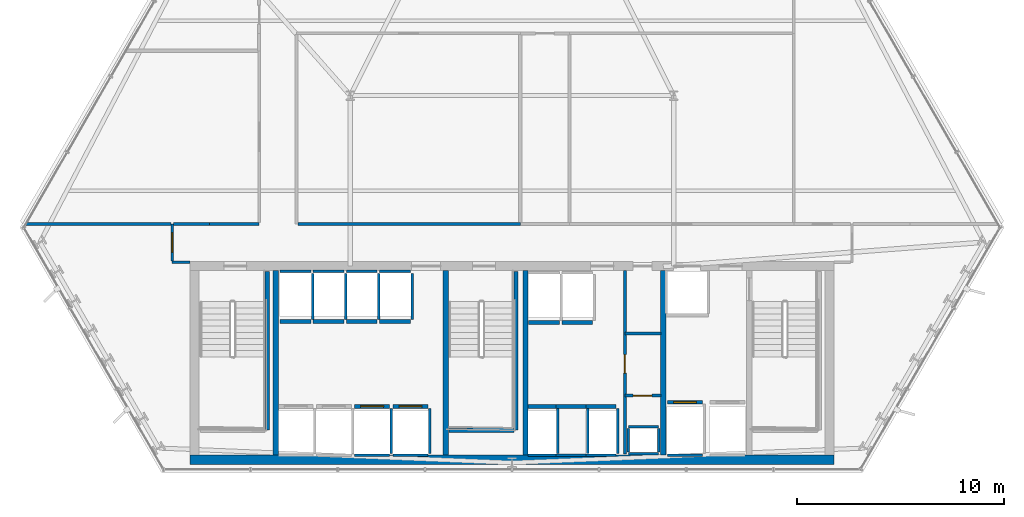
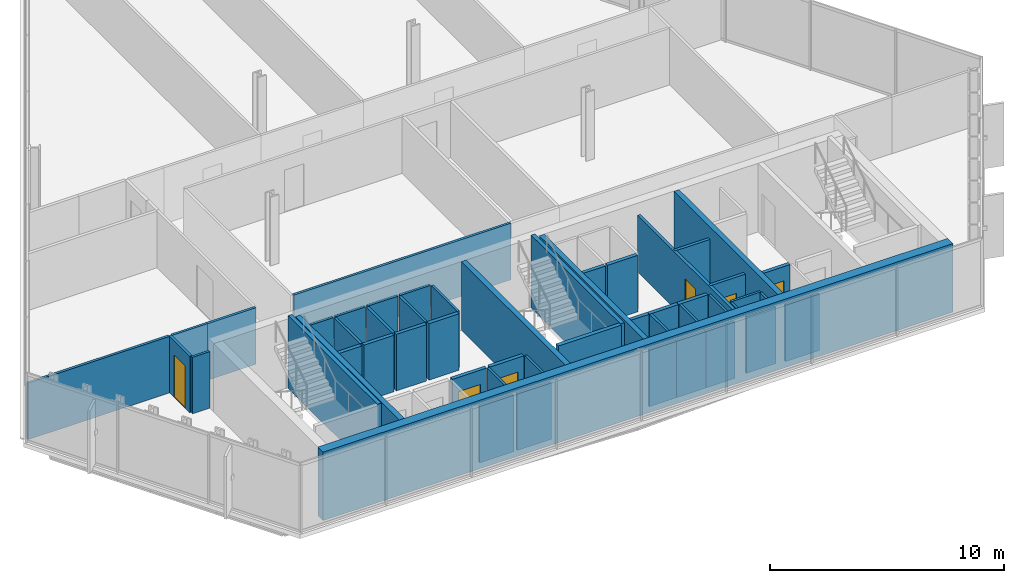
# One storey, part 25 of 31: 52 walls, 6 doors, 6 openings.
"""IFC4 building model written with IfcOpenShell, lengths in metres."""

from ifc_helpers import new_model, si_unit, direction, frame, frame_2d, origin, place, context, subcontext, project, spatial, rectangle, extrude, material, layer, layer_set, type_object, element, fill, save


model = new_model("IFC4")

# Units and contexts
model_context = context("Model", 3, precision=1e-05, world=origin(), true_north=direction((0.0, 1.0)))
body_context = subcontext(model_context, "Body", "Model", "MODEL_VIEW")
ifc_project = project(units=[si_unit("LENGTHUNIT", "METRE"), si_unit("AREAUNIT", "SQUARE_METRE"), si_unit("VOLUMEUNIT", "CUBIC_METRE"), si_unit("PLANEANGLEUNIT", "RADIAN"), si_unit("MASSUNIT", "GRAM", prefix="KILO")], contexts=[model_context])

# Site, building, storey
site_placement = place(None, origin())
site = spatial("IfcSite", under=ifc_project, at=site_placement, CompositionType="ELEMENT")
building_placement = place(site_placement, origin())
building = spatial("IfcBuilding", under=site, at=building_placement, Name="Ndaravel Arena Tower", CompositionType="ELEMENT")
storey_placement = place(building_placement, frame((0.0, 0.0, 100.60009765625)))
storey = spatial("IfcBuildingStorey", under=building, at=storey_placement, Name="L23", CompositionType="ELEMENT", Elevation=100.60009765625)

# Wall, opening, door
ifc_material_1 = material(Name="Gypsum", Category="gypsum")
ifc_layer_1 = layer(ifc_material_1, 0.14990234375)
ifc_layer_set_1 = layer_set([ifc_layer_1], Name="Gypsum")
wall_type_1 = type_object("IfcWallType", Name="WALL-COMP-150", PredefinedType="PARTITIONING", material=ifc_layer_set_1)
wall_1_placement = place(storey_placement, frame((47.449951171875, 5.89990234375, 0.0), z_axis=(0.0, 0.0, 1.0), x_axis=(0.0, 1.0, 0.0)))
wall_1 = element("IfcWall", 1, at=wall_1_placement, inside=storey, type_object=wall_type_1, Name="L23 Core Riser Bay Partition", PredefinedType="PARTITIONING", context=body_context, shape_type="SweptSolid", body=[
    extrude(rectangle(XDim=8.85009765625, YDim=0.14990234375, at=frame_2d((4.425048828125, 0.0))), origin(), (0.0, 0.0, 1.0), 2.949951171875),
])
opening_1_placement = place(wall_1_placement, frame((3.89990234375, 0.0, 0.0)))
opening_1 = element("IfcOpeningElement", 2, at=opening_1_placement, cuts=wall_1, Name="Opening RD-01", PredefinedType="OPENING", context=body_context, shape_type="SweptSolid", body=[
    extrude(rectangle(XDim=0.89990234375, YDim=2.10009765625, at=frame_2d((0.449951171875, 1.050048828125))), frame((0.0, 0.074951171875, 0.0), z_axis=(0.0, -1.0, 0.0), x_axis=(1.0, 0.0, 0.0)), (0.0, 0.0, 1.0), 0.14990234375),
])
ifc_material_2 = material(Name="Steel S355", Category="steel")
door_type_1 = type_object("IfcDoorType", Name="DT-08-RISER-900", OperationType="SINGLE_SWING_LEFT", PredefinedType="DOOR", material=ifc_material_2)
door_1_placement = place(opening_1_placement, origin())
door_1 = element("IfcDoor", 3, at=door_1_placement, inside=storey, type_object=door_type_1, Name="L23 Plumbing Riser Door", OperationType="SINGLE_SWING_LEFT", OverallHeight=2.10009765625, OverallWidth=0.89990234375, PredefinedType="DOOR", context=body_context, shape_type="SweptSolid", body=[
    extrude(rectangle(XDim=0.89990234375, YDim=2.10009765625, at=frame_2d((0.449951171875, 1.050048828125))), frame((0.0, 0.02490234375, 0.0), z_axis=(0.0, -1.0, 0.0), x_axis=(1.0, 0.0, 0.0)), (0.0, 0.0, 1.0), 0.050048828125),
])
fill(opening_1, door_1)

wall_2_placement = place(storey_placement, frame((47.449951171875, 8.719970703125, 0.0), z_axis=(0.0, 0.0, 1.0), x_axis=(1.0, 0.0, 0.0)))
wall_2 = element("IfcWall", 4, at=wall_2_placement, inside=storey, type_object=wall_type_1, Name="L23 Core Riser Divider 1", PredefinedType="PARTITIONING", context=body_context, shape_type="SweptSolid", body=[
    extrude(rectangle(XDim=1.72998046875, YDim=0.14990234375, at=frame_2d((0.864990234375, 0.0))), origin(), (0.0, 0.0, 1.0), 2.949951171875),
])
opening_2_placement = place(wall_2_placement, frame((0.39990234375, 0.0, 0.0)))
opening_2 = element("IfcOpeningElement", 5, at=opening_2_placement, cuts=wall_2, Name="Opening RD-01", PredefinedType="OPENING", context=body_context, shape_type="SweptSolid", body=[
    extrude(rectangle(XDim=0.89990234375, YDim=2.10009765625, at=frame_2d((0.449951171875, 1.050048828125))), frame((0.0, 0.074951171875, 0.0), z_axis=(0.0, -1.0, 0.0), x_axis=(1.0, 0.0, 0.0)), (0.0, 0.0, 1.0), 0.14990234375),
])
door_2_placement = place(opening_2_placement, origin())
door_2 = element("IfcDoor", 6, at=door_2_placement, inside=storey, type_object=door_type_1, Name="L23 Low-Voltage Riser Door", OperationType="SINGLE_SWING_RIGHT", OverallHeight=2.10009765625, OverallWidth=0.89990234375, PredefinedType="DOOR", context=body_context, shape_type="SweptSolid", body=[
    extrude(rectangle(XDim=0.89990234375, YDim=2.10009765625, at=frame_2d((0.449951171875, 1.050048828125))), frame((0.0, 0.02490234375, 0.0), z_axis=(0.0, -1.0, 0.0), x_axis=(1.0, 0.0, 0.0)), (0.0, 0.0, 1.0), 0.050048828125),
])
fill(opening_2, door_2)

# Walls
wall_3_placement = place(storey_placement, frame((47.449951171875, 11.719970703125, 0.0), z_axis=(0.0, 0.0, 1.0), x_axis=(1.0, 0.0, 0.0)))
element("IfcWall", 7, at=wall_3_placement, inside=storey, type_object=wall_type_1, Name="L23 Core Riser Divider 2", PredefinedType="PARTITIONING", context=body_context, shape_type="SweptSolid", body=[
    extrude(rectangle(XDim=1.72998046875, YDim=0.14990234375, at=frame_2d((0.864990234375, 0.0))), origin(), (0.0, 0.0, 1.0), 2.949951171875),
])
ifc_material_3 = material(Name="Concrete C60/75", Category="concrete")
ifc_layer_2 = layer(ifc_material_3, 0.25)
ifc_layer_set_2 = layer_set([ifc_layer_2], Name="Concrete C60/75")
wall_type_2 = type_object("IfcWallType", Name="WALL-CORE-250", PredefinedType="SOLIDWALL", material=ifc_layer_set_2)
for number, where, z_axis, x_axis, name in (
    (8, (30.60009765625, 5.85009765625, 0.0), (0.0, 0.0, 1.0), (0.0, 1.0, 0.0), "L23 Core Web Shear Wall 1"),
    (9, (38.800048828125, 5.85009765625, 0.0), (0.0, 0.0, 1.0), (0.0, 1.0, 0.0), "L23 Core Web Shear Wall 2"),
    (10, (42.64990234375, 5.85009765625, 0.0), (0.0, 0.0, 1.0), (0.0, 1.0, 0.0), "L23 Core Web Shear Wall 3"),
    (11, (49.300048828125, 5.85009765625, 0.0), (0.0, 0.0, 1.0), (0.0, 1.0, 0.0), "L23 Core Web Shear Wall 4"),
):
    element("IfcWall", number, at=place(storey_placement, frame(where, z_axis=z_axis, x_axis=x_axis)), inside=storey, type_object=wall_type_2, Name=name, PredefinedType="SOLIDWALL", context=body_context, shape_type="SweptSolid", body=[
        extrude(rectangle(XDim=8.89990234375, YDim=0.25, at=frame_2d((4.449951171875, 0.0))), origin(), (0.0, 0.0, 1.0), 3.579833984375),
    ])
ifc_material_4 = material(Name="Concrete C60/75", Category="concrete")
ifc_layer_3 = layer(ifc_material_4, 0.449951171875)
ifc_layer_set_3 = layer_set([ifc_layer_3], Name="Concrete C60/75")
wall_type_3 = type_object("IfcWallType", Name="WALL-CORE-450", PredefinedType="SOLIDWALL", material=ifc_layer_set_3)
wall_4_placement = place(storey_placement, frame((26.449951171875, 5.625, 0.0), z_axis=(0.0, 0.0, 1.0), x_axis=(1.0, 0.0, 0.0)))
element("IfcWall", 12, at=wall_4_placement, inside=storey, type_object=wall_type_3, Name="L23 Core South Shear Wall", PredefinedType="SOLIDWALL", context=body_context, shape_type="SweptSolid", body=[
    extrude(rectangle(XDim=31.10009765625, YDim=0.449951171875, at=frame_2d((15.550048828125, 0.0))), origin(), (0.0, 0.0, 1.0), 3.579833984375),
])
ifc_material_5 = material(Name="Gypsum", Category="gypsum")
ifc_layer_4 = layer(ifc_material_5, 0.125)
ifc_layer_set_4 = layer_set([ifc_layer_4], Name="Gypsum")
wall_type_4 = type_object("IfcWallType", Name="WALL-PART-125", PredefinedType="PARTITIONING", material=ifc_layer_set_4)
wall_5_placement = place(storey_placement, frame((26.449951171875, 15.14990234375, 0.0), z_axis=(0.0, 0.0, 1.0), x_axis=(-1.0, 0.0, 0.0)))
element("IfcWall", 13, at=wall_5_placement, inside=storey, type_object=wall_type_4, Name="L23 Interior Partition 003", PredefinedType="PARTITIONING", context=body_context, shape_type="SweptSolid", body=[
    extrude(rectangle(XDim=0.849853515625, YDim=0.125, at=frame_2d((0.4248046875, 0.0))), origin(), (0.0, 0.0, 1.0), 2.949951171875),
])

# Wall, opening, door
wall_6_placement = place(storey_placement, frame((25.60009765625, 15.215087890625, 0.0), z_axis=(0.0, 0.0, 1.0), x_axis=(0.0, 1.0, 0.0)))
wall_6 = element("IfcWall", 14, at=wall_6_placement, inside=storey, type_object=wall_type_4, Name="L23 Interior Partition 004", PredefinedType="PARTITIONING", context=body_context, shape_type="SweptSolid", body=[
    extrude(rectangle(XDim=1.784912109375, YDim=0.125, at=frame_2d((0.892578125, 0.0))), origin(), (0.0, 0.0, 1.0), 2.949951171875),
])
opening_3_placement = place(wall_6_placement, frame((0.41748046875, 0.0, 0.0)))
opening_3 = element("IfcOpeningElement", 15, at=opening_3_placement, cuts=wall_6, Name="Opening ID-01", PredefinedType="OPENING", context=body_context, shape_type="SweptSolid", body=[
    extrude(rectangle(XDim=0.949951171875, YDim=2.199951171875, at=frame_2d((0.47509765625, 1.10009765625))), frame((0.0, 0.0625, 0.0), z_axis=(0.0, -1.0, 0.0), x_axis=(1.0, 0.0, 0.0)), (0.0, 0.0, 1.0), 0.125),
])
ifc_material_6 = material(Name="Timber", Category="wood")
door_type_2 = type_object("IfcDoorType", Name="DT-03-OFFICE-950", OperationType="SINGLE_SWING_LEFT", PredefinedType="DOOR", material=ifc_material_6)
door_3_placement = place(opening_3_placement, origin())
door_3 = element("IfcDoor", 16, at=door_3_placement, inside=storey, type_object=door_type_2, Name="L23 Open Plan Workplace Door", OperationType="SINGLE_SWING_RIGHT", OverallHeight=2.199951171875, OverallWidth=0.949951171875, PredefinedType="DOOR", context=body_context, shape_type="SweptSolid", body=[
    extrude(rectangle(XDim=0.949951171875, YDim=2.199951171875, at=frame_2d((0.47509765625, 1.10009765625))), frame((0.0, 0.02490234375, 0.0), z_axis=(0.0, -1.0, 0.0), x_axis=(1.0, 0.0, 0.0)), (0.0, 0.0, 1.0), 0.050048828125),
])
fill(opening_3, door_3)

# Walls
wall_7_placement = place(storey_placement, frame((25.6650390625, 17.0, 0.0), z_axis=(0.0, 0.0, 1.0), x_axis=(1.0, 0.0, 0.0)))
element("IfcWall", 17, at=wall_7_placement, inside=storey, type_object=wall_type_4, Name="L23 Interior Partition 005", PredefinedType="PARTITIONING", context=body_context, shape_type="SweptSolid", body=[
    extrude(rectangle(XDim=1.73486328125, YDim=0.125, at=frame_2d((0.867431640625, 0.0))), origin(), (0.0, 0.0, 1.0), 2.949951171875),
])
wall_8_placement = place(storey_placement, frame((27.39990234375, 17.0, 0.0), z_axis=(0.0, 0.0, 1.0), x_axis=(1.0, 0.0, 0.0)))
element("IfcWall", 18, at=wall_8_placement, inside=storey, type_object=wall_type_4, Name="L23 Interior Partition 006", PredefinedType="PARTITIONING", context=body_context, shape_type="SweptSolid", body=[
    extrude(rectangle(XDim=2.400146484375, YDim=0.125, at=frame_2d((1.2001953125, 0.0))), origin(), (0.0, 0.0, 1.0), 2.949951171875),
])
wall_9_placement = place(storey_placement, frame((31.6650390625, 17.0, 0.0), z_axis=(0.0, 0.0, 1.0), x_axis=(1.0, 0.0, 0.0)))
element("IfcWall", 19, at=wall_9_placement, inside=storey, type_object=wall_type_4, Name="L23 Interior Partition 020", PredefinedType="PARTITIONING", context=body_context, shape_type="SweptSolid", body=[
    extrude(rectangle(XDim=10.73486328125, YDim=0.125, at=frame_2d((5.367431640625, 0.0))), origin(), (0.0, 0.0, 1.0), 2.949951171875),
])
wall_10_placement = place(storey_placement, frame((18.539306640625, 17.0, 0.0), z_axis=(0.0, 0.0, 1.0), x_axis=(1.0, 0.0, 0.0)))
element("IfcWall", 20, at=wall_10_placement, inside=storey, type_object=wall_type_4, Name="L23 Interior Partition 024", PredefinedType="PARTITIONING", context=body_context, shape_type="SweptSolid", body=[
    extrude(rectangle(XDim=6.99560546875, YDim=0.125, at=frame_2d((3.497802734375, 0.0))), origin(), (0.0, 0.0, 1.0), 2.949951171875),
])
ifc_material_7 = material(Name="Concrete C40/50", Category="concrete")
ifc_layer_5 = layer(ifc_material_7, 0.1201171875)
ifc_layer_set_5 = layer_set([ifc_layer_5], Name="Concrete C40/50")
wall_type_5 = type_object("IfcWallType", Name="WALL-SHAFT-120", PredefinedType="SOLIDWALL", material=ifc_layer_set_5)
for number, where, z_axis, x_axis, name in (
    (21, (47.6201171875, 5.919921875, 0.0), (0.0, 0.0, 1.0), (1.0, 0.0, 0.0), "L23 MEP Riser Shaft S Wall"),
    (22, (47.6201171875, 7.219970703125, 0.0), (0.0, 0.0, 1.0), (1.0, 0.0, 0.0), "L23 MEP Riser Shaft N Wall"),
):
    element("IfcWall", number, at=place(storey_placement, frame(where, z_axis=z_axis, x_axis=x_axis)), inside=storey, type_object=wall_type_5, Name=name, PredefinedType="SOLIDWALL", context=body_context, shape_type="SweptSolid", body=[
        extrude(rectangle(XDim=1.4599609375, YDim=0.1201171875, at=frame_2d((0.72998046875, 0.0))), origin(), (0.0, 0.0, 1.0), 2.949951171875),
    ])
for number, where, z_axis, x_axis, name in (
    (23, (47.6201171875, 6.0, 0.0), (0.0, 0.0, 1.0), (0.0, 1.0, 0.0), "L23 MEP Riser Shaft W Wall"),
    (24, (49.080078125, 6.0, 0.0), (0.0, 0.0, 1.0), (0.0, 1.0, 0.0), "L23 MEP Riser Shaft E Wall"),
):
    element("IfcWall", number, at=place(storey_placement, frame(where, z_axis=z_axis, x_axis=x_axis)), inside=storey, type_object=wall_type_5, Name=name, PredefinedType="SOLIDWALL", context=body_context, shape_type="SweptSolid", body=[
        extrude(rectangle(XDim=1.139892578125, YDim=0.1201171875, at=frame_2d((0.56982421875, 0.0))), origin(), (0.0, 0.0, 1.0), 2.949951171875),
    ])
wall_11_placement = place(storey_placement, frame((34.405029296875, 5.840087890625, 0.0), z_axis=(0.0, 0.0, 1.0), x_axis=(1.0, 0.0, 0.0)))
element("IfcWall", 25, at=wall_11_placement, inside=storey, type_object=wall_type_5, Name="L23 PL-L3 Shaft Rear Wall", PredefinedType="SOLIDWALL", context=body_context, shape_type="SweptSolid", body=[
    extrude(rectangle(XDim=1.68994140625, YDim=0.1201171875, at=frame_2d((0.844970703125, 0.0))), origin(), (0.0, 0.0, 1.0), 2.949951171875),
])
wall_12_placement = place(storey_placement, frame((36.175048828125, 5.929931640625, 0.0), z_axis=(0.0, 0.0, 1.0), x_axis=(0.0, 1.0, 0.0)))
element("IfcWall", 26, at=wall_12_placement, inside=storey, type_object=wall_type_5, Name="L23 PL-L3 Shaft Side R Wall", PredefinedType="SOLIDWALL", context=body_context, shape_type="SweptSolid", body=[
    extrude(rectangle(XDim=2.18017578125, YDim=0.1201171875, at=frame_2d((1.090087890625, 0.0))), origin(), (0.0, 0.0, 1.0), 2.949951171875),
])
wall_13_placement = place(storey_placement, frame((36.2548828125, 5.840087890625, 0.0), z_axis=(0.0, 0.0, 1.0), x_axis=(1.0, 0.0, 0.0)))
element("IfcWall", 27, at=wall_13_placement, inside=storey, type_object=wall_type_5, Name="L23 PL-L4 Shaft Rear Wall", PredefinedType="SOLIDWALL", context=body_context, shape_type="SweptSolid", body=[
    extrude(rectangle(XDim=1.690185546875, YDim=0.1201171875, at=frame_2d((0.84521484375, 0.0))), origin(), (0.0, 0.0, 1.0), 2.949951171875),
])
wall_14_placement = place(storey_placement, frame((38.02490234375, 5.929931640625, 0.0), z_axis=(0.0, 0.0, 1.0), x_axis=(0.0, 1.0, 0.0)))
element("IfcWall", 28, at=wall_14_placement, inside=storey, type_object=wall_type_5, Name="L23 PL-L4 Shaft Side R Wall", PredefinedType="SOLIDWALL", context=body_context, shape_type="SweptSolid", body=[
    extrude(rectangle(XDim=2.18017578125, YDim=0.1201171875, at=frame_2d((1.090087890625, 0.0))), origin(), (0.0, 0.0, 1.0), 2.949951171875),
])
wall_15_placement = place(storey_placement, frame((30.804931640625, 14.7099609375, 0.0), z_axis=(0.0, 0.0, 1.0), x_axis=(1.0, 0.0, 0.0)))
element("IfcWall", 29, at=wall_15_placement, inside=storey, type_object=wall_type_5, Name="L23 PL-M1 Shaft Rear Wall", PredefinedType="SOLIDWALL", context=body_context, shape_type="SweptSolid", body=[
    extrude(rectangle(XDim=1.489990234375, YDim=0.1201171875, at=frame_2d((0.7451171875, 0.0))), origin(), (0.0, 0.0, 1.0), 2.949951171875),
])
wall_16_placement = place(storey_placement, frame((32.375, 12.389892578125, 0.0), z_axis=(0.0, 0.0, 1.0), x_axis=(0.0, 1.0, 0.0)))
element("IfcWall", 30, at=wall_16_placement, inside=storey, type_object=wall_type_5, Name="L23 PL-M1 Shaft Side R Wall", PredefinedType="SOLIDWALL", context=body_context, shape_type="SweptSolid", body=[
    extrude(rectangle(XDim=2.230224609375, YDim=0.1201171875, at=frame_2d((1.115234375, 0.0))), origin(), (0.0, 0.0, 1.0), 2.949951171875),
])
wall_17_placement = place(storey_placement, frame((32.405029296875, 14.7099609375, 0.0), z_axis=(0.0, 0.0, 1.0), x_axis=(1.0, 0.0, 0.0)))
element("IfcWall", 31, at=wall_17_placement, inside=storey, type_object=wall_type_5, Name="L23 PL-M2 Shaft Rear Wall", PredefinedType="SOLIDWALL", context=body_context, shape_type="SweptSolid", body=[
    extrude(rectangle(XDim=1.489990234375, YDim=0.1201171875, at=frame_2d((0.7451171875, 0.0))), origin(), (0.0, 0.0, 1.0), 2.949951171875),
])
wall_18_placement = place(storey_placement, frame((33.97509765625, 12.389892578125, 0.0), z_axis=(0.0, 0.0, 1.0), x_axis=(0.0, 1.0, 0.0)))
element("IfcWall", 32, at=wall_18_placement, inside=storey, type_object=wall_type_5, Name="L23 PL-M2 Shaft Side R Wall", PredefinedType="SOLIDWALL", context=body_context, shape_type="SweptSolid", body=[
    extrude(rectangle(XDim=2.230224609375, YDim=0.1201171875, at=frame_2d((1.115234375, 0.0))), origin(), (0.0, 0.0, 1.0), 2.949951171875),
])
wall_19_placement = place(storey_placement, frame((34.0048828125, 14.7099609375, 0.0), z_axis=(0.0, 0.0, 1.0), x_axis=(1.0, 0.0, 0.0)))
element("IfcWall", 33, at=wall_19_placement, inside=storey, type_object=wall_type_5, Name="L23 PL-M3 Shaft Rear Wall", PredefinedType="SOLIDWALL", context=body_context, shape_type="SweptSolid", body=[
    extrude(rectangle(XDim=1.490234375, YDim=0.1201171875, at=frame_2d((0.7451171875, 0.0))), origin(), (0.0, 0.0, 1.0), 2.949951171875),
])
wall_20_placement = place(storey_placement, frame((35.574951171875, 12.389892578125, 0.0), z_axis=(0.0, 0.0, 1.0), x_axis=(0.0, 1.0, 0.0)))
element("IfcWall", 34, at=wall_20_placement, inside=storey, type_object=wall_type_5, Name="L23 PL-M3 Shaft Side R Wall", PredefinedType="SOLIDWALL", context=body_context, shape_type="SweptSolid", body=[
    extrude(rectangle(XDim=2.230224609375, YDim=0.1201171875, at=frame_2d((1.115234375, 0.0))), origin(), (0.0, 0.0, 1.0), 2.949951171875),
])
wall_21_placement = place(storey_placement, frame((35.60498046875, 14.7099609375, 0.0), z_axis=(0.0, 0.0, 1.0), x_axis=(1.0, 0.0, 0.0)))
element("IfcWall", 35, at=wall_21_placement, inside=storey, type_object=wall_type_5, Name="L23 PL-M4 Shaft Rear Wall", PredefinedType="SOLIDWALL", context=body_context, shape_type="SweptSolid", body=[
    extrude(rectangle(XDim=1.489990234375, YDim=0.1201171875, at=frame_2d((0.7451171875, 0.0))), origin(), (0.0, 0.0, 1.0), 2.949951171875),
])
wall_22_placement = place(storey_placement, frame((37.175048828125, 12.389892578125, 0.0), z_axis=(0.0, 0.0, 1.0), x_axis=(0.0, 1.0, 0.0)))
element("IfcWall", 36, at=wall_22_placement, inside=storey, type_object=wall_type_5, Name="L23 PL-M4 Shaft Side R Wall", PredefinedType="SOLIDWALL", context=body_context, shape_type="SweptSolid", body=[
    extrude(rectangle(XDim=2.230224609375, YDim=0.1201171875, at=frame_2d((1.115234375, 0.0))), origin(), (0.0, 0.0, 1.0), 2.949951171875),
])
wall_23_placement = place(storey_placement, frame((42.780029296875, 5.840087890625, 0.0), z_axis=(0.0, 0.0, 1.0), x_axis=(1.0, 0.0, 0.0)))
element("IfcWall", 37, at=wall_23_placement, inside=storey, type_object=wall_type_5, Name="L23 PL-H1 Shaft Rear Wall", PredefinedType="SOLIDWALL", context=body_context, shape_type="SweptSolid", body=[
    extrude(rectangle(XDim=1.340087890625, YDim=0.1201171875, at=frame_2d((0.669921875, 0.0))), origin(), (0.0, 0.0, 1.0), 2.949951171875),
])
wall_24_placement = place(storey_placement, frame((44.199951171875, 5.929931640625, 0.0), z_axis=(0.0, 0.0, 1.0), x_axis=(0.0, 1.0, 0.0)))
element("IfcWall", 38, at=wall_24_placement, inside=storey, type_object=wall_type_5, Name="L23 PL-H1 Shaft Side R Wall", PredefinedType="SOLIDWALL", context=body_context, shape_type="SweptSolid", body=[
    extrude(rectangle(XDim=2.18017578125, YDim=0.1201171875, at=frame_2d((1.090087890625, 0.0))), origin(), (0.0, 0.0, 1.0), 2.949951171875),
])
wall_25_placement = place(storey_placement, frame((44.1298828125, 5.840087890625, 0.0), z_axis=(0.0, 0.0, 1.0), x_axis=(1.0, 0.0, 0.0)))
element("IfcWall", 39, at=wall_25_placement, inside=storey, type_object=wall_type_5, Name="L23 PL-H2 Shaft Rear Wall", PredefinedType="SOLIDWALL", context=body_context, shape_type="SweptSolid", body=[
    extrude(rectangle(XDim=1.440185546875, YDim=0.1201171875, at=frame_2d((0.72021484375, 0.0))), origin(), (0.0, 0.0, 1.0), 2.949951171875),
])
wall_26_placement = place(storey_placement, frame((45.64990234375, 5.929931640625, 0.0), z_axis=(0.0, 0.0, 1.0), x_axis=(0.0, 1.0, 0.0)))
element("IfcWall", 40, at=wall_26_placement, inside=storey, type_object=wall_type_5, Name="L23 PL-H2 Shaft Side R Wall", PredefinedType="SOLIDWALL", context=body_context, shape_type="SweptSolid", body=[
    extrude(rectangle(XDim=2.18017578125, YDim=0.1201171875, at=frame_2d((1.090087890625, 0.0))), origin(), (0.0, 0.0, 1.0), 2.949951171875),
])
wall_27_placement = place(storey_placement, frame((45.580078125, 5.840087890625, 0.0), z_axis=(0.0, 0.0, 1.0), x_axis=(1.0, 0.0, 0.0)))
element("IfcWall", 41, at=wall_27_placement, inside=storey, type_object=wall_type_5, Name="L23 PL-H3 Shaft Rear Wall", PredefinedType="SOLIDWALL", context=body_context, shape_type="SweptSolid", body=[
    extrude(rectangle(XDim=1.43994140625, YDim=0.1201171875, at=frame_2d((0.719970703125, 0.0))), origin(), (0.0, 0.0, 1.0), 2.949951171875),
])
wall_28_placement = place(storey_placement, frame((47.10009765625, 5.929931640625, 0.0), z_axis=(0.0, 0.0, 1.0), x_axis=(0.0, 1.0, 0.0)))
element("IfcWall", 42, at=wall_28_placement, inside=storey, type_object=wall_type_5, Name="L23 PL-H3 Shaft Side R Wall", PredefinedType="SOLIDWALL", context=body_context, shape_type="SweptSolid", body=[
    extrude(rectangle(XDim=2.18017578125, YDim=0.1201171875, at=frame_2d((1.090087890625, 0.0))), origin(), (0.0, 0.0, 1.0), 2.949951171875),
])
wall_29_placement = place(storey_placement, frame((49.5048828125, 5.840087890625, 0.0), z_axis=(0.0, 0.0, 1.0), x_axis=(1.0, 0.0, 0.0)))
element("IfcWall", 43, at=wall_29_placement, inside=storey, type_object=wall_type_5, Name="L23 FFL-1 Shaft Rear Wall", PredefinedType="SOLIDWALL", context=body_context, shape_type="SweptSolid", body=[
    extrude(rectangle(XDim=1.690185546875, YDim=0.1201171875, at=frame_2d((0.84521484375, 0.0))), origin(), (0.0, 0.0, 1.0), 2.949951171875),
])
ifc_material_8 = material(Name="Concrete C40/50", Category="concrete")
ifc_layer_6 = layer(ifc_material_8, 0.199951171875)
ifc_layer_set_6 = layer_set([ifc_layer_6], Name="Concrete C40/50")
wall_type_6 = type_object("IfcWallType", Name="WALL-SHAFT-200", PredefinedType="SOLIDWALL", material=ifc_layer_set_6)
for number, where, z_axis, x_axis, name in (
    (44, (30.18994140625, 14.699951171875, 0.0), (0.0, 0.0, 1.0), (0.0, -1.0, 0.0), "L23 ST-1 Structural Shaft Wall Right"),
    (45, (42.18994140625, 14.699951171875, 0.0), (0.0, 0.0, 1.0), (0.0, -1.0, 0.0), "L23 ST-2 Structural Shaft Wall Right"),
):
    element("IfcWall", number, at=place(storey_placement, frame(where, z_axis=z_axis, x_axis=x_axis)), inside=storey, type_object=wall_type_6, Name=name, PredefinedType="SOLIDWALL", context=body_context, shape_type="SweptSolid", body=[
        extrude(rectangle(XDim=7.64990234375, YDim=0.199951171875, at=frame_2d((3.824951171875, 0.0))), origin(), (0.0, 0.0, 1.0), 3.7998046875),
    ])
wall_30_placement = place(storey_placement, frame((38.969970703125, 7.050048828125, 0.0), z_axis=(0.0, 0.0, 1.0), x_axis=(1.0, 0.0, 0.0)))
element("IfcWall", 46, at=wall_30_placement, inside=storey, type_object=wall_type_6, Name="L23 ST-2 Structural Shaft Wall Far", PredefinedType="SOLIDWALL", context=body_context, shape_type="SweptSolid", body=[
    extrude(rectangle(XDim=3.114990234375, YDim=0.199951171875, at=frame_2d((1.5576171875, 0.0))), origin(), (0.0, 0.0, 1.0), 3.7998046875),
])

# Wall, opening, door
wall_31_placement = place(storey_placement, frame((34.405029296875, 8.199951171875, 0.0), z_axis=(0.0, 0.0, 1.0), x_axis=(1.0, 0.0, 0.0)))
wall_31 = element("IfcWall", 47, at=wall_31_placement, inside=storey, type_object=wall_type_6, Name="L23 PL-L3 Shaft Landing Wall", PredefinedType="SOLIDWALL", context=body_context, shape_type="SweptSolid", body=[
    extrude(rectangle(XDim=1.68994140625, YDim=0.179931640625, at=frame_2d((0.844970703125, 0.0))), origin(), (0.0, 0.0, 1.0), 2.949951171875),
])
opening_4_placement = place(wall_31_placement, frame((0.294921875, 0.0, 0.0)))
opening_4 = element("IfcOpeningElement", 48, at=opening_4_placement, cuts=wall_31, Name="Opening LD-01", PredefinedType="OPENING", context=body_context, shape_type="SweptSolid", body=[
    extrude(rectangle(XDim=1.10009765625, YDim=2.199951171875, at=frame_2d((0.550048828125, 1.10009765625))), frame((0.0, 0.08984375, 0.0), z_axis=(0.0, -1.0, 0.0), x_axis=(1.0, 0.0, 0.0)), (0.0, 0.0, 1.0), 0.179931640625),
])
ifc_material_9 = material(Name="Steel S355", Category="steel")
door_type_3 = type_object("IfcDoorType", Name="DT-06-LIFT-1100", OperationType="SLIDING_TO_LEFT", PredefinedType="DOOR", material=ifc_material_9)
door_4_placement = place(opening_4_placement, origin())
door_4 = element("IfcDoor", 49, at=door_4_placement, inside=storey, type_object=door_type_3, Name="L23 Lift PL-L3 Sliding Landing Door", OperationType="SLIDING_TO_LEFT", OverallHeight=2.199951171875, OverallWidth=1.10009765625, PredefinedType="DOOR", context=body_context, shape_type="SweptSolid", body=[
    extrude(rectangle(XDim=1.10009765625, YDim=2.199951171875, at=frame_2d((0.550048828125, 1.10009765625))), frame((0.0, 0.02490234375, 0.0), z_axis=(0.0, -1.0, 0.0), x_axis=(1.0, 0.0, 0.0)), (0.0, 0.0, 1.0), 0.050048828125),
])
fill(opening_4, door_4)

wall_32_placement = place(storey_placement, frame((36.2548828125, 8.199951171875, 0.0), z_axis=(0.0, 0.0, 1.0), x_axis=(1.0, 0.0, 0.0)))
wall_32 = element("IfcWall", 50, at=wall_32_placement, inside=storey, type_object=wall_type_6, Name="L23 PL-L4 Shaft Landing Wall", PredefinedType="SOLIDWALL", context=body_context, shape_type="SweptSolid", body=[
    extrude(rectangle(XDim=1.690185546875, YDim=0.179931640625, at=frame_2d((0.84521484375, 0.0))), origin(), (0.0, 0.0, 1.0), 2.949951171875),
])
opening_5_placement = place(wall_32_placement, frame((0.294921875, 0.0, 0.0)))
opening_5 = element("IfcOpeningElement", 51, at=opening_5_placement, cuts=wall_32, Name="Opening LD-01", PredefinedType="OPENING", context=body_context, shape_type="SweptSolid", body=[
    extrude(rectangle(XDim=1.10009765625, YDim=2.199951171875, at=frame_2d((0.550048828125, 1.10009765625))), frame((0.0, 0.08984375, 0.0), z_axis=(0.0, -1.0, 0.0), x_axis=(1.0, 0.0, 0.0)), (0.0, 0.0, 1.0), 0.179931640625),
])
door_5_placement = place(opening_5_placement, origin())
door_5 = element("IfcDoor", 52, at=door_5_placement, inside=storey, type_object=door_type_3, Name="L23 Lift PL-L4 Sliding Landing Door", OperationType="SLIDING_TO_LEFT", OverallHeight=2.199951171875, OverallWidth=1.10009765625, PredefinedType="DOOR", context=body_context, shape_type="SweptSolid", body=[
    extrude(rectangle(XDim=1.10009765625, YDim=2.199951171875, at=frame_2d((0.550048828125, 1.10009765625))), frame((0.0, 0.02490234375, 0.0), z_axis=(0.0, -1.0, 0.0), x_axis=(1.0, 0.0, 0.0)), (0.0, 0.0, 1.0), 0.050048828125),
])
fill(opening_5, door_5)

# Walls
for number, where, z_axis, x_axis, name in (
    (53, (30.804931640625, 12.300048828125, 0.0), (0.0, 0.0, 1.0), (1.0, 0.0, 0.0), "L23 PL-M1 Shaft Landing Wall"),
    (54, (32.405029296875, 12.300048828125, 0.0), (0.0, 0.0, 1.0), (1.0, 0.0, 0.0), "L23 PL-M2 Shaft Landing Wall"),
):
    element("IfcWall", number, at=place(storey_placement, frame(where, z_axis=z_axis, x_axis=x_axis)), inside=storey, type_object=wall_type_6, Name=name, PredefinedType="SOLIDWALL", context=body_context, shape_type="SweptSolid", body=[
        extrude(rectangle(XDim=1.489990234375, YDim=0.179931640625, at=frame_2d((0.7451171875, 0.0))), origin(), (0.0, 0.0, 1.0), 2.949951171875),
    ])
wall_33_placement = place(storey_placement, frame((34.0048828125, 12.300048828125, 0.0), z_axis=(0.0, 0.0, 1.0), x_axis=(1.0, 0.0, 0.0)))
element("IfcWall", 55, at=wall_33_placement, inside=storey, type_object=wall_type_6, Name="L23 PL-M3 Shaft Landing Wall", PredefinedType="SOLIDWALL", context=body_context, shape_type="SweptSolid", body=[
    extrude(rectangle(XDim=1.490234375, YDim=0.179931640625, at=frame_2d((0.7451171875, 0.0))), origin(), (0.0, 0.0, 1.0), 2.949951171875),
])
wall_34_placement = place(storey_placement, frame((35.60498046875, 12.300048828125, 0.0), z_axis=(0.0, 0.0, 1.0), x_axis=(1.0, 0.0, 0.0)))
element("IfcWall", 56, at=wall_34_placement, inside=storey, type_object=wall_type_6, Name="L23 PL-M4 Shaft Landing Wall", PredefinedType="SOLIDWALL", context=body_context, shape_type="SweptSolid", body=[
    extrude(rectangle(XDim=1.489990234375, YDim=0.179931640625, at=frame_2d((0.7451171875, 0.0))), origin(), (0.0, 0.0, 1.0), 2.949951171875),
])
wall_35_placement = place(storey_placement, frame((42.780029296875, 8.199951171875, 0.0), z_axis=(0.0, 0.0, 1.0), x_axis=(1.0, 0.0, 0.0)))
element("IfcWall", 57, at=wall_35_placement, inside=storey, type_object=wall_type_6, Name="L23 PL-H1 Shaft Landing Wall", PredefinedType="SOLIDWALL", context=body_context, shape_type="SweptSolid", body=[
    extrude(rectangle(XDim=1.340087890625, YDim=0.179931640625, at=frame_2d((0.669921875, 0.0))), origin(), (0.0, 0.0, 1.0), 2.949951171875),
])
wall_36_placement = place(storey_placement, frame((44.1298828125, 8.199951171875, 0.0), z_axis=(0.0, 0.0, 1.0), x_axis=(1.0, 0.0, 0.0)))
element("IfcWall", 58, at=wall_36_placement, inside=storey, type_object=wall_type_6, Name="L23 PL-H2 Shaft Landing Wall", PredefinedType="SOLIDWALL", context=body_context, shape_type="SweptSolid", body=[
    extrude(rectangle(XDim=1.440185546875, YDim=0.179931640625, at=frame_2d((0.72021484375, 0.0))), origin(), (0.0, 0.0, 1.0), 2.949951171875),
])
wall_37_placement = place(storey_placement, frame((45.580078125, 8.199951171875, 0.0), z_axis=(0.0, 0.0, 1.0), x_axis=(1.0, 0.0, 0.0)))
element("IfcWall", 59, at=wall_37_placement, inside=storey, type_object=wall_type_6, Name="L23 PL-H3 Shaft Landing Wall", PredefinedType="SOLIDWALL", context=body_context, shape_type="SweptSolid", body=[
    extrude(rectangle(XDim=1.43994140625, YDim=0.179931640625, at=frame_2d((0.719970703125, 0.0))), origin(), (0.0, 0.0, 1.0), 2.949951171875),
])
for number, where, z_axis, x_axis, name in (
    (60, (42.804931640625, 12.25, 0.0), (0.0, 0.0, 1.0), (1.0, 0.0, 0.0), "L23 PL-OBS1 Shaft Landing Wall"),
    (61, (44.405029296875, 12.25, 0.0), (0.0, 0.0, 1.0), (1.0, 0.0, 0.0), "L23 PL-OBS2 Shaft Landing Wall"),
):
    element("IfcWall", number, at=place(storey_placement, frame(where, z_axis=z_axis, x_axis=x_axis)), inside=storey, type_object=wall_type_6, Name=name, PredefinedType="SOLIDWALL", context=body_context, shape_type="SweptSolid", body=[
        extrude(rectangle(XDim=1.489990234375, YDim=0.179931640625, at=frame_2d((0.7451171875, 0.0))), origin(), (0.0, 0.0, 1.0), 2.949951171875),
    ])

# Wall, opening, door
wall_38_placement = place(storey_placement, frame((49.5048828125, 8.39990234375, 0.0), z_axis=(0.0, 0.0, 1.0), x_axis=(1.0, 0.0, 0.0)))
wall_38 = element("IfcWall", 62, at=wall_38_placement, inside=storey, type_object=wall_type_6, Name="L23 FFL-1 Shaft Landing Wall", PredefinedType="SOLIDWALL", context=body_context, shape_type="SweptSolid", body=[
    extrude(rectangle(XDim=1.690185546875, YDim=0.179931640625, at=frame_2d((0.84521484375, 0.0))), origin(), (0.0, 0.0, 1.0), 2.949951171875),
])
opening_6_placement = place(wall_38_placement, frame((0.294921875, 0.0, 0.0)))
opening_6 = element("IfcOpeningElement", 63, at=opening_6_placement, cuts=wall_38, Name="Opening LD-01", PredefinedType="OPENING", context=body_context, shape_type="SweptSolid", body=[
    extrude(rectangle(XDim=1.10009765625, YDim=2.199951171875, at=frame_2d((0.550048828125, 1.10009765625))), frame((0.0, 0.08984375, 0.0), z_axis=(0.0, -1.0, 0.0), x_axis=(1.0, 0.0, 0.0)), (0.0, 0.0, 1.0), 0.179931640625),
])
door_6_placement = place(opening_6_placement, origin())
door_6 = element("IfcDoor", 64, at=door_6_placement, inside=storey, type_object=door_type_3, Name="L23 Lift FFL-1 Sliding Landing Door", OperationType="SLIDING_TO_LEFT", OverallHeight=2.199951171875, OverallWidth=1.10009765625, PredefinedType="DOOR", context=body_context, shape_type="SweptSolid", body=[
    extrude(rectangle(XDim=1.10009765625, YDim=2.199951171875, at=frame_2d((0.550048828125, 1.10009765625))), frame((0.0, 0.02490234375, 0.0), z_axis=(0.0, -1.0, 0.0), x_axis=(1.0, 0.0, 0.0)), (0.0, 0.0, 1.0), 0.050048828125),
])
fill(opening_6, door_6)

save(model, "model.ifc")
